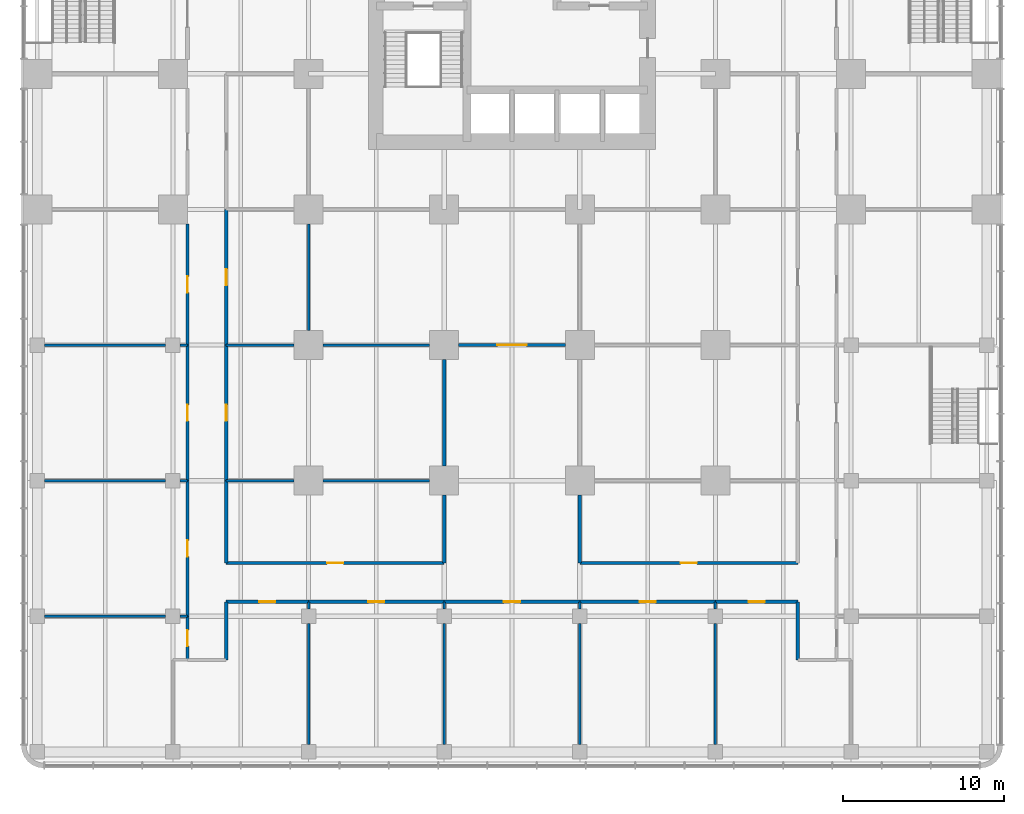
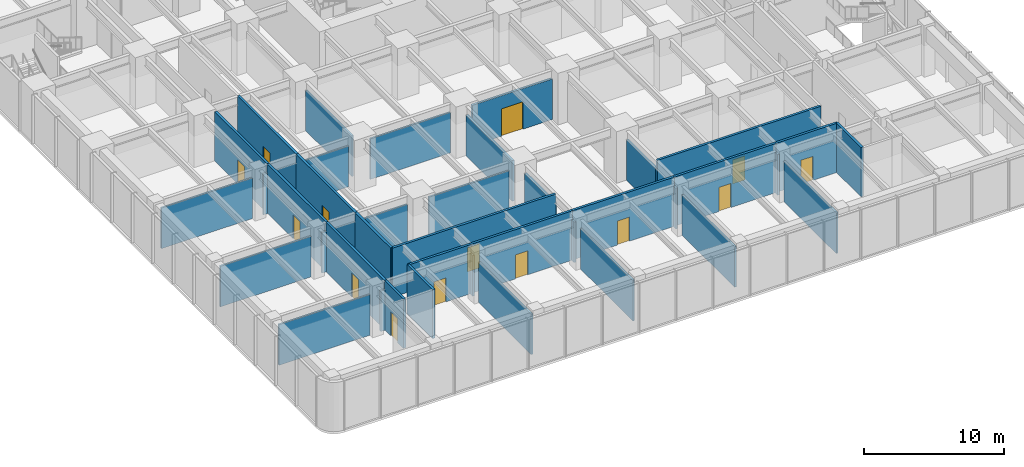
# One storey, part 11 of 19: 39 walls, 14 doors, 14 openings.
"""IFC4 building model written with IfcOpenShell, lengths in metres."""

from ifc_helpers import new_model, si_unit, direction, frame, frame_2d, origin, place, context, subcontext, project, spatial, rectangle, extrude, material, layer, layer_set, type_object, element, fill, save


model = new_model("IFC4")

# Units and contexts
model_context = context("Model", 3, precision=1e-05, world=origin(), true_north=direction((0.0, 1.0)))
body_context = subcontext(model_context, "Body", "Model", "MODEL_VIEW")
ifc_project = project(units=[si_unit("LENGTHUNIT", "METRE"), si_unit("AREAUNIT", "SQUARE_METRE"), si_unit("VOLUMEUNIT", "CUBIC_METRE"), si_unit("PLANEANGLEUNIT", "RADIAN"), si_unit("MASSUNIT", "GRAM", prefix="KILO")], contexts=[model_context])

# Site, building, storey
site_placement = place(None, origin())
site = spatial("IfcSite", under=ifc_project, at=site_placement, CompositionType="ELEMENT")
building_placement = place(site_placement, origin())
building = spatial("IfcBuilding", under=site, at=building_placement, Name="Torre Alcanfor", CompositionType="ELEMENT")
storey_placement = place(building_placement, frame((0.0, 0.0, 6.0)))
storey = spatial("IfcBuildingStorey", under=building, at=storey_placement, Name="L01", CompositionType="ELEMENT", Elevation=6.0)

# Walls
ifc_material_1 = material(Name="Concrete block masonry, hollow blocks NMX-C-404 9 MPa", Category="masonry")
ifc_layer_1 = layer(ifc_material_1, 0.14990234375)
ifc_layer_set_1 = layer_set([ifc_layer_1], Name="Classroom partition 150")
wall_type_1 = type_object("IfcWallType", Name="Classroom partition 150", PredefinedType="PARTITIONING", material=ifc_layer_set_1)
wall_1_placement = place(storey_placement, frame((16.800048828125, -8.85009765625, 0.0), z_axis=(0.0, 0.0, 1.0), x_axis=(0.0, -1.0, 0.0)))
element("IfcWall", 1, at=wall_1_placement, inside=storey, type_object=wall_type_1, Name="Partition L01-01 / L01-05", PredefinedType="PARTITIONING", context=body_context, shape_type="SweptSolid", body=[
    extrude(rectangle(XDim=7.5, YDim=0.14990234375, at=frame_2d((3.75, 0.0))), origin(), (0.0, 0.0, 1.0), 3.543212890625),
])
wall_2_placement = place(storey_placement, frame((16.800048828125, -7.5, 0.0), z_axis=(0.0, 0.0, 1.0), x_axis=(0.0, -1.0, 0.0)))
element("IfcWall", 2, at=wall_2_placement, inside=storey, type_object=wall_type_1, Name="Partition L01-01 / L01-05", PredefinedType="PARTITIONING", context=body_context, shape_type="SweptSolid", body=[
    extrude(rectangle(XDim=0.449951171875, YDim=0.14990234375, at=frame_2d((0.22509765625, 0.0))), origin(), (0.0, 0.0, 1.0), 3.543212890625),
])
wall_3_placement = place(storey_placement, frame((42.0, -16.35009765625, 0.0), z_axis=(0.0, 0.0, 1.0), x_axis=(0.0, 1.0, 0.0)))
element("IfcWall", 3, at=wall_3_placement, inside=storey, type_object=wall_type_1, Name="Partition L01-02 / L01-07", PredefinedType="PARTITIONING", context=body_context, shape_type="SweptSolid", body=[
    extrude(rectangle(XDim=7.5, YDim=0.14990234375, at=frame_2d((3.75, 0.0))), origin(), (0.0, 0.0, 1.0), 3.543212890625),
])
wall_4_placement = place(storey_placement, frame((42.0, -7.949951171875, 0.0), z_axis=(0.0, 0.0, 1.0), x_axis=(0.0, 1.0, 0.0)))
element("IfcWall", 4, at=wall_4_placement, inside=storey, type_object=wall_type_1, Name="Partition L01-02 / L01-07", PredefinedType="PARTITIONING", context=body_context, shape_type="SweptSolid", body=[
    extrude(rectangle(XDim=0.449951171875, YDim=0.14990234375, at=frame_2d((0.22509765625, 0.0))), origin(), (0.0, 0.0, 1.0), 3.543212890625),
])
wall_5_placement = place(storey_placement, frame((0.449951171875, -8.39990234375, 0.0), z_axis=(0.0, 0.0, 1.0), x_axis=(1.0, 0.0, 0.0)))
element("IfcWall", 5, at=wall_5_placement, inside=storey, type_object=wall_type_1, Name="Partition L01-03 / L01-08", PredefinedType="PARTITIONING", context=body_context, shape_type="SweptSolid", body=[
    extrude(rectangle(XDim=7.5, YDim=0.14990234375, at=frame_2d((3.75, 0.0))), origin(), (0.0, 0.0, 1.0), 3.543212890625),
])
wall_6_placement = place(storey_placement, frame((8.85009765625, -8.39990234375, 0.0), z_axis=(0.0, 0.0, 1.0), x_axis=(1.0, 0.0, 0.0)))
element("IfcWall", 6, at=wall_6_placement, inside=storey, type_object=wall_type_1, Name="Partition L01-03 / L01-08", PredefinedType="PARTITIONING", context=body_context, shape_type="SweptSolid", body=[
    extrude(rectangle(XDim=0.449951171875, YDim=0.14990234375, at=frame_2d((0.22509765625, 0.0))), origin(), (0.0, 0.0, 1.0), 3.543212890625),
])
wall_7_placement = place(storey_placement, frame((25.199951171875, -8.85009765625, 0.0), z_axis=(0.0, 0.0, 1.0), x_axis=(0.0, -1.0, 0.0)))
element("IfcWall", 7, at=wall_7_placement, inside=storey, type_object=wall_type_1, Name="Partition L01-05 / L01-06", PredefinedType="PARTITIONING", context=body_context, shape_type="SweptSolid", body=[
    extrude(rectangle(XDim=7.5, YDim=0.14990234375, at=frame_2d((3.75, 0.0))), origin(), (0.0, 0.0, 1.0), 3.543212890625),
])
wall_8_placement = place(storey_placement, frame((25.199951171875, -7.5, 0.0), z_axis=(0.0, 0.0, 1.0), x_axis=(0.0, -1.0, 0.0)))
element("IfcWall", 8, at=wall_8_placement, inside=storey, type_object=wall_type_1, Name="Partition L01-05 / L01-06", PredefinedType="PARTITIONING", context=body_context, shape_type="SweptSolid", body=[
    extrude(rectangle(XDim=0.449951171875, YDim=0.14990234375, at=frame_2d((0.22509765625, 0.0))), origin(), (0.0, 0.0, 1.0), 3.543212890625),
])
wall_9_placement = place(storey_placement, frame((33.60009765625, -8.85009765625, 0.0), z_axis=(0.0, 0.0, 1.0), x_axis=(0.0, -1.0, 0.0)))
element("IfcWall", 9, at=wall_9_placement, inside=storey, type_object=wall_type_1, Name="Partition L01-06 / L01-07", PredefinedType="PARTITIONING", context=body_context, shape_type="SweptSolid", body=[
    extrude(rectangle(XDim=7.5, YDim=0.14990234375, at=frame_2d((3.75, 0.0))), origin(), (0.0, 0.0, 1.0), 3.543212890625),
])
wall_10_placement = place(storey_placement, frame((33.60009765625, -7.5, 0.0), z_axis=(0.0, 0.0, 1.0), x_axis=(0.0, -1.0, 0.0)))
element("IfcWall", 10, at=wall_10_placement, inside=storey, type_object=wall_type_1, Name="Partition L01-06 / L01-07", PredefinedType="PARTITIONING", context=body_context, shape_type="SweptSolid", body=[
    extrude(rectangle(XDim=0.449951171875, YDim=0.14990234375, at=frame_2d((0.22509765625, 0.0))), origin(), (0.0, 0.0, 1.0), 3.543212890625),
])
wall_11_placement = place(storey_placement, frame((0.449951171875, 0.0, 0.0), z_axis=(0.0, 0.0, 1.0), x_axis=(1.0, 0.0, 0.0)))
element("IfcWall", 11, at=wall_11_placement, inside=storey, type_object=wall_type_1, Name="Partition L01-08 / L01-10", PredefinedType="PARTITIONING", context=body_context, shape_type="SweptSolid", body=[
    extrude(rectangle(XDim=7.5, YDim=0.14990234375, at=frame_2d((3.75, 0.0))), origin(), (0.0, 0.0, 1.0), 3.543212890625),
])
wall_12_placement = place(storey_placement, frame((8.85009765625, 0.0, 0.0), z_axis=(0.0, 0.0, 1.0), x_axis=(1.0, 0.0, 0.0)))
element("IfcWall", 12, at=wall_12_placement, inside=storey, type_object=wall_type_1, Name="Partition L01-08 / L01-10", PredefinedType="PARTITIONING", context=body_context, shape_type="SweptSolid", body=[
    extrude(rectangle(XDim=0.449951171875, YDim=0.14990234375, at=frame_2d((0.22509765625, 0.0))), origin(), (0.0, 0.0, 1.0), 3.543212890625),
])
wall_13_placement = place(storey_placement, frame((0.449951171875, 8.39990234375, 0.0), z_axis=(0.0, 0.0, 1.0), x_axis=(1.0, 0.0, 0.0)))
element("IfcWall", 13, at=wall_13_placement, inside=storey, type_object=wall_type_1, Name="Partition L01-10 / L01-12", PredefinedType="PARTITIONING", context=body_context, shape_type="SweptSolid", body=[
    extrude(rectangle(XDim=7.5, YDim=0.14990234375, at=frame_2d((3.75, 0.0))), origin(), (0.0, 0.0, 1.0), 3.543212890625),
])
wall_14_placement = place(storey_placement, frame((8.85009765625, 8.39990234375, 0.0), z_axis=(0.0, 0.0, 1.0), x_axis=(1.0, 0.0, 0.0)))
element("IfcWall", 14, at=wall_14_placement, inside=storey, type_object=wall_type_1, Name="Partition L01-10 / L01-12", PredefinedType="PARTITIONING", context=body_context, shape_type="SweptSolid", body=[
    extrude(rectangle(XDim=0.449951171875, YDim=0.14990234375, at=frame_2d((0.22509765625, 0.0))), origin(), (0.0, 0.0, 1.0), 3.543212890625),
])
wall_15_placement = place(storey_placement, frame((11.699951171875, 0.0, 0.0), z_axis=(0.0, 0.0, 1.0), x_axis=(1.0, 0.0, 0.0)))
element("IfcWall", 15, at=wall_15_placement, inside=storey, type_object=wall_type_1, Name="Partition L01-I01 / L01-I03", PredefinedType="PARTITIONING", context=body_context, shape_type="SweptSolid", body=[
    extrude(rectangle(XDim=4.199951171875, YDim=0.14990234375, at=frame_2d((2.10009765625, 0.0))), origin(), (0.0, 0.0, 1.0), 3.543212890625),
])
wall_16_placement = place(storey_placement, frame((17.699951171875, 0.0, 0.0), z_axis=(0.0, 0.0, 1.0), x_axis=(1.0, 0.0, 0.0)))
element("IfcWall", 16, at=wall_16_placement, inside=storey, type_object=wall_type_1, Name="Partition L01-I01 / L01-I03", PredefinedType="PARTITIONING", context=body_context, shape_type="SweptSolid", body=[
    extrude(rectangle(XDim=6.60009765625, YDim=0.14990234375, at=frame_2d((3.300048828125, 0.0))), origin(), (0.0, 0.0, 1.0), 3.543212890625),
])
wall_17_placement = place(storey_placement, frame((11.699951171875, 8.39990234375, 0.0), z_axis=(0.0, 0.0, 1.0), x_axis=(1.0, 0.0, 0.0)))
element("IfcWall", 17, at=wall_17_placement, inside=storey, type_object=wall_type_1, Name="Partition L01-I03 / L01-I05", PredefinedType="PARTITIONING", context=body_context, shape_type="SweptSolid", body=[
    extrude(rectangle(XDim=4.199951171875, YDim=0.14990234375, at=frame_2d((2.10009765625, 0.0))), origin(), (0.0, 0.0, 1.0), 3.543212890625),
])
wall_18_placement = place(storey_placement, frame((17.699951171875, 8.39990234375, 0.0), z_axis=(0.0, 0.0, 1.0), x_axis=(1.0, 0.0, 0.0)))
element("IfcWall", 18, at=wall_18_placement, inside=storey, type_object=wall_type_1, Name="Partition L01-I03 / L01-I06", PredefinedType="PARTITIONING", context=body_context, shape_type="SweptSolid", body=[
    extrude(rectangle(XDim=6.60009765625, YDim=0.14990234375, at=frame_2d((3.300048828125, 0.0))), origin(), (0.0, 0.0, 1.0), 3.543212890625),
])
wall_19_placement = place(storey_placement, frame((16.800048828125, 15.89990234375, 0.0), z_axis=(0.0, 0.0, 1.0), x_axis=(0.0, -1.0, 0.0)))
element("IfcWall", 19, at=wall_19_placement, inside=storey, type_object=wall_type_1, Name="Partition L01-I05 / L01-I06", PredefinedType="PARTITIONING", context=body_context, shape_type="SweptSolid", body=[
    extrude(rectangle(XDim=6.599853515625, YDim=0.14990234375, at=frame_2d((3.2998046875, 0.0))), origin(), (0.0, 0.0, 1.0), 3.543212890625),
])
ifc_material_2 = material(Name="Concrete block masonry, hollow blocks NMX-C-404 9 MPa", Category="masonry")
ifc_layer_2 = layer(ifc_material_2, 0.199951171875)
ifc_layer_set_2 = layer_set([ifc_layer_2], Name="School corridor wall 200")
wall_type_2 = type_object("IfcWallType", Name="School corridor wall 200", PredefinedType="PARTITIONING", material=ifc_layer_set_2)
wall_20_placement = place(storey_placement, frame((11.699951171875, -11.10009765625, 0.0), z_axis=(0.0, 0.0, 1.0), x_axis=(0.0, 1.0, 0.0)))
element("IfcWall", 20, at=wall_20_placement, inside=storey, type_object=wall_type_2, Name="Partition L01-01 / L01-CORR", PredefinedType="PARTITIONING", context=body_context, shape_type="SweptSolid", body=[
    extrude(rectangle(XDim=3.60009765625, YDim=0.199951171875, at=frame_2d((1.800048828125, 0.0))), origin(), (0.0, 0.0, 1.0), 4.300048828125),
])

# Wall, opening, door
wall_21_placement = place(storey_placement, frame((11.699951171875, -7.5, 0.0), z_axis=(0.0, 0.0, 1.0), x_axis=(1.0, 0.0, 0.0)))
wall_21 = element("IfcWall", 21, at=wall_21_placement, inside=storey, type_object=wall_type_2, Name="Partition L01-01 / L01-CORR", PredefinedType="PARTITIONING", context=body_context, shape_type="SweptSolid", body=[
    extrude(rectangle(XDim=5.10009765625, YDim=0.199951171875, at=frame_2d((2.550048828125, 0.0))), origin(), (0.0, 0.0, 1.0), 4.300048828125),
])
opening_1_placement = place(wall_21_placement, frame((2.050048828125, 0.0, 0.0)))
opening_1 = element("IfcOpeningElement", 22, at=opening_1_placement, cuts=wall_21, Name="Opening D-C1", PredefinedType="OPENING", context=body_context, shape_type="SweptSolid", body=[
    extrude(rectangle(XDim=1.0, YDim=2.10009765625, at=frame_2d((0.5, 1.050048828125))), frame((0.0, 0.10986328125, 0.0), z_axis=(0.0, -1.0, 0.0), x_axis=(1.0, 0.0, 0.0)), (0.0, 0.0, 1.0), 0.219970703125),
])
ifc_material_3 = material(Name="Timber", Category="wood")
door_type_1 = type_object("IfcDoorType", Name="Classroom door 1000x2100", OperationType="SINGLE_SWING_RIGHT", PredefinedType="DOOR", material=ifc_material_3)
door_1_placement = place(opening_1_placement, frame((1.0, 0.0, 0.0), z_axis=(0.0, 0.0, 1.0), x_axis=(-1.0, 0.0, 0.0)))
door_1 = element("IfcDoor", 23, at=door_1_placement, inside=storey, type_object=door_type_1, Name="Door L01-01 classroom", OperationType="SINGLE_SWING_RIGHT", OverallHeight=2.10009765625, OverallWidth=1.0, PredefinedType="DOOR", context=body_context, shape_type="SweptSolid", body=[
    extrude(rectangle(XDim=1.0, YDim=2.10009765625, at=frame_2d((0.5, 1.050048828125))), frame((0.0, 0.025146484375, 0.0), z_axis=(0.0, -1.0, 0.0), x_axis=(1.0, 0.0, 0.0)), (0.0, 0.0, 1.0), 0.050048828125),
])
fill(opening_1, door_1)

wall_22_placement = place(storey_placement, frame((42.0, -7.5, 0.0), z_axis=(0.0, 0.0, 1.0), x_axis=(1.0, 0.0, 0.0)))
wall_22 = element("IfcWall", 24, at=wall_22_placement, inside=storey, type_object=wall_type_2, Name="Partition L01-02 / L01-CORR", PredefinedType="PARTITIONING", context=body_context, shape_type="SweptSolid", body=[
    extrude(rectangle(XDim=5.10009765625, YDim=0.199951171875, at=frame_2d((2.550048828125, 0.0))), origin(), (0.0, 0.0, 1.0), 4.300048828125),
])
opening_2_placement = place(wall_22_placement, frame((2.050048828125, 0.0, 0.0)))
opening_2 = element("IfcOpeningElement", 25, at=opening_2_placement, cuts=wall_22, Name="Opening D-C1", PredefinedType="OPENING", context=body_context, shape_type="SweptSolid", body=[
    extrude(rectangle(XDim=1.0, YDim=2.10009765625, at=frame_2d((0.5, 1.050048828125))), frame((0.0, 0.10986328125, 0.0), z_axis=(0.0, -1.0, 0.0), x_axis=(1.0, 0.0, 0.0)), (0.0, 0.0, 1.0), 0.219970703125),
])
door_2_placement = place(opening_2_placement, frame((1.0, 0.0, 0.0), z_axis=(0.0, 0.0, 1.0), x_axis=(-1.0, 0.0, 0.0)))
door_2 = element("IfcDoor", 26, at=door_2_placement, inside=storey, type_object=door_type_1, Name="Door L01-02 classroom", OperationType="SINGLE_SWING_RIGHT", OverallHeight=2.10009765625, OverallWidth=1.0, PredefinedType="DOOR", context=body_context, shape_type="SweptSolid", body=[
    extrude(rectangle(XDim=1.0, YDim=2.10009765625, at=frame_2d((0.5, 1.050048828125))), frame((0.0, 0.025146484375, 0.0), z_axis=(0.0, -1.0, 0.0), x_axis=(1.0, 0.0, 0.0)), (0.0, 0.0, 1.0), 0.050048828125),
])
fill(opening_2, door_2)

# Wall
wall_23_placement = place(storey_placement, frame((47.10009765625, -7.5, 0.0), z_axis=(0.0, 0.0, 1.0), x_axis=(0.0, -1.0, 0.0)))
element("IfcWall", 27, at=wall_23_placement, inside=storey, type_object=wall_type_2, Name="Partition L01-02 / L01-CORR", PredefinedType="PARTITIONING", context=body_context, shape_type="SweptSolid", body=[
    extrude(rectangle(XDim=3.60009765625, YDim=0.199951171875, at=frame_2d((1.800048828125, 0.0))), origin(), (0.0, 0.0, 1.0), 4.300048828125),
])

# Wall, opening, door
wall_24_placement = place(storey_placement, frame((9.300048828125, -8.39990234375, 0.0), z_axis=(0.0, 0.0, 1.0), x_axis=(0.0, -1.0, 0.0)))
wall_24 = element("IfcWall", 28, at=wall_24_placement, inside=storey, type_object=wall_type_2, Name="Partition L01-03 / L01-CORR", PredefinedType="PARTITIONING", context=body_context, shape_type="SweptSolid", body=[
    extrude(rectangle(XDim=2.7001953125, YDim=0.199951171875, at=frame_2d((1.35009765625, 0.0))), origin(), (0.0, 0.0, 1.0), 4.300048828125),
])
opening_3_placement = place(wall_24_placement, frame((0.85009765625, 0.0, 0.0)))
opening_3 = element("IfcOpeningElement", 29, at=opening_3_placement, cuts=wall_24, Name="Opening D-C1", PredefinedType="OPENING", context=body_context, shape_type="SweptSolid", body=[
    extrude(rectangle(XDim=1.0, YDim=2.10009765625, at=frame_2d((0.5, 1.050048828125))), frame((0.0, 0.10986328125, 0.0), z_axis=(0.0, -1.0, 0.0), x_axis=(1.0, 0.0, 0.0)), (0.0, 0.0, 1.0), 0.219970703125),
])
door_3_placement = place(opening_3_placement, frame((1.0, 0.0, 0.0), z_axis=(0.0, 0.0, 1.0), x_axis=(-1.0, 0.0, 0.0)))
door_3 = element("IfcDoor", 30, at=door_3_placement, inside=storey, type_object=door_type_1, Name="Door L01-03 classroom", OperationType="SINGLE_SWING_RIGHT", OverallHeight=2.10009765625, OverallWidth=1.0, PredefinedType="DOOR", context=body_context, shape_type="SweptSolid", body=[
    extrude(rectangle(XDim=1.0, YDim=2.10009765625, at=frame_2d((0.5, 1.050048828125))), frame((0.0, 0.025146484375, 0.0), z_axis=(0.0, -1.0, 0.0), x_axis=(1.0, 0.0, 0.0)), (0.0, 0.0, 1.0), 0.050048828125),
])
fill(opening_3, door_3)

wall_25_placement = place(storey_placement, frame((16.800048828125, -7.5, 0.0), z_axis=(0.0, 0.0, 1.0), x_axis=(1.0, 0.0, 0.0)))
wall_25 = element("IfcWall", 31, at=wall_25_placement, inside=storey, type_object=wall_type_2, Name="Partition L01-05 / L01-CORR", PredefinedType="PARTITIONING", context=body_context, shape_type="SweptSolid", body=[
    extrude(rectangle(XDim=8.39990234375, YDim=0.199951171875, at=frame_2d((4.199951171875, 0.0))), origin(), (0.0, 0.0, 1.0), 4.300048828125),
])
opening_4_placement = place(wall_25_placement, frame((3.699951171875, 0.0, 0.0)))
opening_4 = element("IfcOpeningElement", 32, at=opening_4_placement, cuts=wall_25, Name="Opening D-C1", PredefinedType="OPENING", context=body_context, shape_type="SweptSolid", body=[
    extrude(rectangle(XDim=1.0, YDim=2.10009765625, at=frame_2d((0.5, 1.050048828125))), frame((0.0, 0.10986328125, 0.0), z_axis=(0.0, -1.0, 0.0), x_axis=(1.0, 0.0, 0.0)), (0.0, 0.0, 1.0), 0.219970703125),
])
door_4_placement = place(opening_4_placement, frame((1.0, 0.0, 0.0), z_axis=(0.0, 0.0, 1.0), x_axis=(-1.0, 0.0, 0.0)))
door_4 = element("IfcDoor", 33, at=door_4_placement, inside=storey, type_object=door_type_1, Name="Door L01-05 classroom", OperationType="SINGLE_SWING_RIGHT", OverallHeight=2.10009765625, OverallWidth=1.0, PredefinedType="DOOR", context=body_context, shape_type="SweptSolid", body=[
    extrude(rectangle(XDim=1.0, YDim=2.10009765625, at=frame_2d((0.5, 1.050048828125))), frame((0.0, 0.025146484375, 0.0), z_axis=(0.0, -1.0, 0.0), x_axis=(1.0, 0.0, 0.0)), (0.0, 0.0, 1.0), 0.050048828125),
])
fill(opening_4, door_4)

wall_26_placement = place(storey_placement, frame((25.199951171875, -7.5, 0.0), z_axis=(0.0, 0.0, 1.0), x_axis=(1.0, 0.0, 0.0)))
wall_26 = element("IfcWall", 34, at=wall_26_placement, inside=storey, type_object=wall_type_2, Name="Partition L01-06 / L01-CORR", PredefinedType="PARTITIONING", context=body_context, shape_type="SweptSolid", body=[
    extrude(rectangle(XDim=8.400146484375, YDim=0.199951171875, at=frame_2d((4.2001953125, 0.0))), origin(), (0.0, 0.0, 1.0), 4.300048828125),
])
opening_5_placement = place(wall_26_placement, frame((3.699951171875, 0.0, 0.0)))
opening_5 = element("IfcOpeningElement", 35, at=opening_5_placement, cuts=wall_26, Name="Opening D-C1", PredefinedType="OPENING", context=body_context, shape_type="SweptSolid", body=[
    extrude(rectangle(XDim=1.0, YDim=2.10009765625, at=frame_2d((0.5, 1.050048828125))), frame((0.0, 0.10986328125, 0.0), z_axis=(0.0, -1.0, 0.0), x_axis=(1.0, 0.0, 0.0)), (0.0, 0.0, 1.0), 0.219970703125),
])
door_5_placement = place(opening_5_placement, frame((1.0, 0.0, 0.0), z_axis=(0.0, 0.0, 1.0), x_axis=(-1.0, 0.0, 0.0)))
door_5 = element("IfcDoor", 36, at=door_5_placement, inside=storey, type_object=door_type_1, Name="Door L01-06 classroom", OperationType="SINGLE_SWING_RIGHT", OverallHeight=2.10009765625, OverallWidth=1.0, PredefinedType="DOOR", context=body_context, shape_type="SweptSolid", body=[
    extrude(rectangle(XDim=1.0, YDim=2.10009765625, at=frame_2d((0.5, 1.050048828125))), frame((0.0, 0.025146484375, 0.0), z_axis=(0.0, -1.0, 0.0), x_axis=(1.0, 0.0, 0.0)), (0.0, 0.0, 1.0), 0.050048828125),
])
fill(opening_5, door_5)

wall_27_placement = place(storey_placement, frame((33.60009765625, -7.5, 0.0), z_axis=(0.0, 0.0, 1.0), x_axis=(1.0, 0.0, 0.0)))
wall_27 = element("IfcWall", 37, at=wall_27_placement, inside=storey, type_object=wall_type_2, Name="Partition L01-07 / L01-CORR", PredefinedType="PARTITIONING", context=body_context, shape_type="SweptSolid", body=[
    extrude(rectangle(XDim=8.39990234375, YDim=0.199951171875, at=frame_2d((4.199951171875, 0.0))), origin(), (0.0, 0.0, 1.0), 4.300048828125),
])
opening_6_placement = place(wall_27_placement, frame((3.699951171875, 0.0, 0.0)))
opening_6 = element("IfcOpeningElement", 38, at=opening_6_placement, cuts=wall_27, Name="Opening D-C1", PredefinedType="OPENING", context=body_context, shape_type="SweptSolid", body=[
    extrude(rectangle(XDim=1.0, YDim=2.10009765625, at=frame_2d((0.5, 1.050048828125))), frame((0.0, 0.10986328125, 0.0), z_axis=(0.0, -1.0, 0.0), x_axis=(1.0, 0.0, 0.0)), (0.0, 0.0, 1.0), 0.219970703125),
])
door_6_placement = place(opening_6_placement, frame((1.0, 0.0, 0.0), z_axis=(0.0, 0.0, 1.0), x_axis=(-1.0, 0.0, 0.0)))
door_6 = element("IfcDoor", 39, at=door_6_placement, inside=storey, type_object=door_type_1, Name="Door L01-07 classroom", OperationType="SINGLE_SWING_RIGHT", OverallHeight=2.10009765625, OverallWidth=1.0, PredefinedType="DOOR", context=body_context, shape_type="SweptSolid", body=[
    extrude(rectangle(XDim=1.0, YDim=2.10009765625, at=frame_2d((0.5, 1.050048828125))), frame((0.0, 0.025146484375, 0.0), z_axis=(0.0, -1.0, 0.0), x_axis=(1.0, 0.0, 0.0)), (0.0, 0.0, 1.0), 0.050048828125),
])
fill(opening_6, door_6)

wall_28_placement = place(storey_placement, frame((9.300048828125, 0.0, 0.0), z_axis=(0.0, 0.0, 1.0), x_axis=(0.0, -1.0, 0.0)))
wall_28 = element("IfcWall", 40, at=wall_28_placement, inside=storey, type_object=wall_type_2, Name="Partition L01-08 / L01-CORR", PredefinedType="PARTITIONING", context=body_context, shape_type="SweptSolid", body=[
    extrude(rectangle(XDim=8.39990234375, YDim=0.199951171875, at=frame_2d((4.199951171875, 0.0))), origin(), (0.0, 0.0, 1.0), 4.300048828125),
])
opening_7_placement = place(wall_28_placement, frame((3.699951171875, 0.0, 0.0)))
opening_7 = element("IfcOpeningElement", 41, at=opening_7_placement, cuts=wall_28, Name="Opening D-C1", PredefinedType="OPENING", context=body_context, shape_type="SweptSolid", body=[
    extrude(rectangle(XDim=1.0, YDim=2.10009765625, at=frame_2d((0.5, 1.050048828125))), frame((0.0, 0.10986328125, 0.0), z_axis=(0.0, -1.0, 0.0), x_axis=(1.0, 0.0, 0.0)), (0.0, 0.0, 1.0), 0.219970703125),
])
door_7_placement = place(opening_7_placement, frame((1.0, 0.0, 0.0), z_axis=(0.0, 0.0, 1.0), x_axis=(-1.0, 0.0, 0.0)))
door_7 = element("IfcDoor", 42, at=door_7_placement, inside=storey, type_object=door_type_1, Name="Door L01-08 classroom", OperationType="SINGLE_SWING_RIGHT", OverallHeight=2.10009765625, OverallWidth=1.0, PredefinedType="DOOR", context=body_context, shape_type="SweptSolid", body=[
    extrude(rectangle(XDim=1.0, YDim=2.10009765625, at=frame_2d((0.5, 1.050048828125))), frame((0.0, 0.025146484375, 0.0), z_axis=(0.0, -1.0, 0.0), x_axis=(1.0, 0.0, 0.0)), (0.0, 0.0, 1.0), 0.050048828125),
])
fill(opening_7, door_7)

wall_29_placement = place(storey_placement, frame((9.300048828125, 8.39990234375, 0.0), z_axis=(0.0, 0.0, 1.0), x_axis=(0.0, -1.0, 0.0)))
wall_29 = element("IfcWall", 43, at=wall_29_placement, inside=storey, type_object=wall_type_2, Name="Partition L01-10 / L01-CORR", PredefinedType="PARTITIONING", context=body_context, shape_type="SweptSolid", body=[
    extrude(rectangle(XDim=8.39990234375, YDim=0.199951171875, at=frame_2d((4.199951171875, 0.0))), origin(), (0.0, 0.0, 1.0), 4.300048828125),
])
opening_8_placement = place(wall_29_placement, frame((3.699951171875, 0.0, 0.0)))
opening_8 = element("IfcOpeningElement", 44, at=opening_8_placement, cuts=wall_29, Name="Opening D-C1", PredefinedType="OPENING", context=body_context, shape_type="SweptSolid", body=[
    extrude(rectangle(XDim=1.0, YDim=2.10009765625, at=frame_2d((0.5, 1.050048828125))), frame((0.0, 0.10986328125, 0.0), z_axis=(0.0, -1.0, 0.0), x_axis=(1.0, 0.0, 0.0)), (0.0, 0.0, 1.0), 0.219970703125),
])
door_8_placement = place(opening_8_placement, frame((1.0, 0.0, 0.0), z_axis=(0.0, 0.0, 1.0), x_axis=(-1.0, 0.0, 0.0)))
door_8 = element("IfcDoor", 45, at=door_8_placement, inside=storey, type_object=door_type_1, Name="Door L01-10 classroom", OperationType="SINGLE_SWING_RIGHT", OverallHeight=2.10009765625, OverallWidth=1.0, PredefinedType="DOOR", context=body_context, shape_type="SweptSolid", body=[
    extrude(rectangle(XDim=1.0, YDim=2.10009765625, at=frame_2d((0.5, 1.050048828125))), frame((0.0, 0.025146484375, 0.0), z_axis=(0.0, -1.0, 0.0), x_axis=(1.0, 0.0, 0.0)), (0.0, 0.0, 1.0), 0.050048828125),
])
fill(opening_8, door_8)

wall_30_placement = place(storey_placement, frame((9.300048828125, 15.89990234375, 0.0), z_axis=(0.0, 0.0, 1.0), x_axis=(0.0, -1.0, 0.0)))
wall_30 = element("IfcWall", 46, at=wall_30_placement, inside=storey, type_object=wall_type_2, Name="Partition L01-12 / L01-CORR", PredefinedType="PARTITIONING", context=body_context, shape_type="SweptSolid", body=[
    extrude(rectangle(XDim=7.5, YDim=0.199951171875, at=frame_2d((3.75, 0.0))), origin(), (0.0, 0.0, 1.0), 4.300048828125),
])
opening_9_placement = place(wall_30_placement, frame((3.25, 0.0, 0.0)))
opening_9 = element("IfcOpeningElement", 47, at=opening_9_placement, cuts=wall_30, Name="Opening D-C1", PredefinedType="OPENING", context=body_context, shape_type="SweptSolid", body=[
    extrude(rectangle(XDim=1.0, YDim=2.10009765625, at=frame_2d((0.5, 1.050048828125))), frame((0.0, 0.10986328125, 0.0), z_axis=(0.0, -1.0, 0.0), x_axis=(1.0, 0.0, 0.0)), (0.0, 0.0, 1.0), 0.219970703125),
])
door_9_placement = place(opening_9_placement, frame((1.0, 0.0, 0.0), z_axis=(0.0, 0.0, 1.0), x_axis=(-1.0, 0.0, 0.0)))
door_9 = element("IfcDoor", 48, at=door_9_placement, inside=storey, type_object=door_type_1, Name="Door L01-12 classroom", OperationType="SINGLE_SWING_RIGHT", OverallHeight=2.10009765625, OverallWidth=1.0, PredefinedType="DOOR", context=body_context, shape_type="SweptSolid", body=[
    extrude(rectangle(XDim=1.0, YDim=2.10009765625, at=frame_2d((0.5, 1.050048828125))), frame((0.0, 0.025146484375, 0.0), z_axis=(0.0, -1.0, 0.0), x_axis=(1.0, 0.0, 0.0)), (0.0, 0.0, 1.0), 0.050048828125),
])
fill(opening_9, door_9)

# Wall
wall_31_placement = place(storey_placement, frame((11.699951171875, 0.0, 0.0), z_axis=(0.0, 0.0, 1.0), x_axis=(0.0, -1.0, 0.0)))
element("IfcWall", 49, at=wall_31_placement, inside=storey, type_object=wall_type_2, Name="Partition L01-CORR / L01-I01", PredefinedType="PARTITIONING", context=body_context, shape_type="SweptSolid", body=[
    extrude(rectangle(XDim=5.10009765625, YDim=0.199951171875, at=frame_2d((2.550048828125, 0.0))), origin(), (0.0, 0.0, 1.0), 4.300048828125),
])

# Wall, opening, door
wall_32_placement = place(storey_placement, frame((11.699951171875, -5.10009765625, 0.0), z_axis=(0.0, 0.0, 1.0), x_axis=(1.0, 0.0, 0.0)))
wall_32 = element("IfcWall", 50, at=wall_32_placement, inside=storey, type_object=wall_type_2, Name="Partition L01-CORR / L01-I01", PredefinedType="PARTITIONING", context=body_context, shape_type="SweptSolid", body=[
    extrude(rectangle(XDim=13.5, YDim=0.199951171875, at=frame_2d((6.75, 0.0))), origin(), (0.0, 0.0, 1.0), 4.300048828125),
])
opening_10_placement = place(wall_32_placement, frame((6.25, 0.0, 0.0)))
opening_10 = element("IfcOpeningElement", 51, at=opening_10_placement, cuts=wall_32, Name="Opening D-C1", PredefinedType="OPENING", context=body_context, shape_type="SweptSolid", body=[
    extrude(rectangle(XDim=1.0, YDim=2.10009765625, at=frame_2d((0.5, 1.050048828125))), frame((0.0, 0.10986328125, 0.0), z_axis=(0.0, -1.0, 0.0), x_axis=(1.0, 0.0, 0.0)), (0.0, 0.0, 1.0), 0.219970703125),
])
door_10_placement = place(opening_10_placement, origin())
door_10 = element("IfcDoor", 52, at=door_10_placement, inside=storey, type_object=door_type_1, Name="Door L01-I01 seminar room", OperationType="SINGLE_SWING_LEFT", OverallHeight=2.10009765625, OverallWidth=1.0, PredefinedType="DOOR", context=body_context, shape_type="SweptSolid", body=[
    extrude(rectangle(XDim=1.0, YDim=2.10009765625, at=frame_2d((0.5, 1.050048828125))), frame((0.0, 0.02490234375, 0.0), z_axis=(0.0, -1.0, 0.0), x_axis=(1.0, 0.0, 0.0)), (0.0, 0.0, 1.0), 0.050048828125),
])
fill(opening_10, door_10)

# Walls
for number, where, z_axis, x_axis, name in (
    (53, (25.199951171875, -5.10009765625, 0.0), (0.0, 0.0, 1.0), (0.0, 1.0, 0.0), "Partition L01-CORR / L01-I01"),
    (54, (33.60009765625, -0.89990234375, 0.0), (0.0, 0.0, 1.0), (0.0, -1.0, 0.0), "Partition L01-CORR / L01-I02"),
):
    element("IfcWall", number, at=place(storey_placement, frame(where, z_axis=z_axis, x_axis=x_axis)), inside=storey, type_object=wall_type_2, Name=name, PredefinedType="PARTITIONING", context=body_context, shape_type="SweptSolid", body=[
        extrude(rectangle(XDim=4.2001953125, YDim=0.199951171875, at=frame_2d((2.10009765625, 0.0))), origin(), (0.0, 0.0, 1.0), 3.543212890625),
    ])

# Wall, opening, door
wall_33_placement = place(storey_placement, frame((33.60009765625, -5.10009765625, 0.0), z_axis=(0.0, 0.0, 1.0), x_axis=(1.0, 0.0, 0.0)))
wall_33 = element("IfcWall", 55, at=wall_33_placement, inside=storey, type_object=wall_type_2, Name="Partition L01-CORR / L01-I02", PredefinedType="PARTITIONING", context=body_context, shape_type="SweptSolid", body=[
    extrude(rectangle(XDim=13.5, YDim=0.199951171875, at=frame_2d((6.75, 0.0))), origin(), (0.0, 0.0, 1.0), 4.300048828125),
])
opening_11_placement = place(wall_33_placement, frame((6.25, 0.0, 0.0)))
opening_11 = element("IfcOpeningElement", 56, at=opening_11_placement, cuts=wall_33, Name="Opening D-C1", PredefinedType="OPENING", context=body_context, shape_type="SweptSolid", body=[
    extrude(rectangle(XDim=1.0, YDim=2.10009765625, at=frame_2d((0.5, 1.050048828125))), frame((0.0, 0.10986328125, 0.0), z_axis=(0.0, -1.0, 0.0), x_axis=(1.0, 0.0, 0.0)), (0.0, 0.0, 1.0), 0.219970703125),
])
door_11_placement = place(opening_11_placement, origin())
door_11 = element("IfcDoor", 57, at=door_11_placement, inside=storey, type_object=door_type_1, Name="Door L01-I02 seminar room", OperationType="SINGLE_SWING_LEFT", OverallHeight=2.10009765625, OverallWidth=1.0, PredefinedType="DOOR", context=body_context, shape_type="SweptSolid", body=[
    extrude(rectangle(XDim=1.0, YDim=2.10009765625, at=frame_2d((0.5, 1.050048828125))), frame((0.0, 0.02490234375, 0.0), z_axis=(0.0, -1.0, 0.0), x_axis=(1.0, 0.0, 0.0)), (0.0, 0.0, 1.0), 0.050048828125),
])
fill(opening_11, door_11)

wall_34_placement = place(storey_placement, frame((11.699951171875, 8.39990234375, 0.0), z_axis=(0.0, 0.0, 1.0), x_axis=(0.0, -1.0, 0.0)))
wall_34 = element("IfcWall", 58, at=wall_34_placement, inside=storey, type_object=wall_type_2, Name="Partition L01-CORR / L01-I03", PredefinedType="PARTITIONING", context=body_context, shape_type="SweptSolid", body=[
    extrude(rectangle(XDim=8.39990234375, YDim=0.199951171875, at=frame_2d((4.199951171875, 0.0))), origin(), (0.0, 0.0, 1.0), 4.300048828125),
])
opening_12_placement = place(wall_34_placement, frame((3.699951171875, 0.0, 0.0)))
opening_12 = element("IfcOpeningElement", 59, at=opening_12_placement, cuts=wall_34, Name="Opening D-C1", PredefinedType="OPENING", context=body_context, shape_type="SweptSolid", body=[
    extrude(rectangle(XDim=1.0, YDim=2.10009765625, at=frame_2d((0.5, 1.050048828125))), frame((0.0, 0.10986328125, 0.0), z_axis=(0.0, -1.0, 0.0), x_axis=(1.0, 0.0, 0.0)), (0.0, 0.0, 1.0), 0.219970703125),
])
door_12_placement = place(opening_12_placement, origin())
door_12 = element("IfcDoor", 60, at=door_12_placement, inside=storey, type_object=door_type_1, Name="Door L01-I03 science laboratory", OperationType="SINGLE_SWING_LEFT", OverallHeight=2.10009765625, OverallWidth=1.0, PredefinedType="DOOR", context=body_context, shape_type="SweptSolid", body=[
    extrude(rectangle(XDim=1.0, YDim=2.10009765625, at=frame_2d((0.5, 1.050048828125))), frame((0.0, 0.02490234375, 0.0), z_axis=(0.0, -1.0, 0.0), x_axis=(1.0, 0.0, 0.0)), (0.0, 0.0, 1.0), 0.050048828125),
])
fill(opening_12, door_12)

# Wall
wall_35_placement = place(storey_placement, frame((25.199951171875, 0.89990234375, 0.0), z_axis=(0.0, 0.0, 1.0), x_axis=(0.0, 1.0, 0.0)))
element("IfcWall", 61, at=wall_35_placement, inside=storey, type_object=wall_type_2, Name="Partition L01-CORR / L01-I03", PredefinedType="PARTITIONING", context=body_context, shape_type="SweptSolid", body=[
    extrude(rectangle(XDim=6.60009765625, YDim=0.199951171875, at=frame_2d((3.300048828125, 0.0))), origin(), (0.0, 0.0, 1.0), 3.543212890625),
])

# Wall, opening, door
wall_36_placement = place(storey_placement, frame((11.699951171875, 16.800048828125, 0.0), z_axis=(0.0, 0.0, 1.0), x_axis=(0.0, -1.0, 0.0)))
wall_36 = element("IfcWall", 62, at=wall_36_placement, inside=storey, type_object=wall_type_2, Name="Partition L01-CORR / L01-I05", PredefinedType="PARTITIONING", context=body_context, shape_type="SweptSolid", body=[
    extrude(rectangle(XDim=8.400146484375, YDim=0.199951171875, at=frame_2d((4.2001953125, 0.0))), origin(), (0.0, 0.0, 1.0), 4.300048828125),
])
opening_13_placement = place(wall_36_placement, frame((3.699951171875, 0.0, 0.0)))
opening_13 = element("IfcOpeningElement", 63, at=opening_13_placement, cuts=wall_36, Name="Opening D-C1", PredefinedType="OPENING", context=body_context, shape_type="SweptSolid", body=[
    extrude(rectangle(XDim=1.0, YDim=2.10009765625, at=frame_2d((0.5, 1.050048828125))), frame((0.0, 0.10986328125, 0.0), z_axis=(0.0, -1.0, 0.0), x_axis=(1.0, 0.0, 0.0)), (0.0, 0.0, 1.0), 0.219970703125),
])
door_13_placement = place(opening_13_placement, origin())
door_13 = element("IfcDoor", 64, at=door_13_placement, inside=storey, type_object=door_type_1, Name="Door L01-I05 preparation room", OperationType="SINGLE_SWING_LEFT", OverallHeight=2.10009765625, OverallWidth=1.0, PredefinedType="DOOR", context=body_context, shape_type="SweptSolid", body=[
    extrude(rectangle(XDim=1.0, YDim=2.10009765625, at=frame_2d((0.5, 1.050048828125))), frame((0.0, 0.02490234375, 0.0), z_axis=(0.0, -1.0, 0.0), x_axis=(1.0, 0.0, 0.0)), (0.0, 0.0, 1.0), 0.050048828125),
])
fill(opening_13, door_13)

wall_37_placement = place(storey_placement, frame((26.10009765625, 8.39990234375, 0.0), z_axis=(0.0, 0.0, 1.0), x_axis=(1.0, 0.0, 0.0)))
wall_37 = element("IfcWall", 65, at=wall_37_placement, inside=storey, type_object=wall_type_2, Name="Partition L01-CORR / L01-I06", PredefinedType="PARTITIONING", context=body_context, shape_type="SweptSolid", body=[
    extrude(rectangle(XDim=6.599853515625, YDim=0.199951171875, at=frame_2d((3.2998046875, 0.0))), origin(), (0.0, 0.0, 1.0), 3.543212890625),
])
opening_14_placement = place(wall_37_placement, frame((2.39990234375, 0.0, 0.0)))
opening_14 = element("IfcOpeningElement", 66, at=opening_14_placement, cuts=wall_37, Name="Opening D-C2", PredefinedType="OPENING", context=body_context, shape_type="SweptSolid", body=[
    extrude(rectangle(XDim=1.800048828125, YDim=2.39990234375, at=frame_2d((0.89990234375, 1.199951171875))), frame((0.0, 0.10986328125, 0.0), z_axis=(0.0, -1.0, 0.0), x_axis=(1.0, 0.0, 0.0)), (0.0, 0.0, 1.0), 0.219970703125),
])
ifc_material_4 = material(Name="Timber", Category="wood")
door_type_2 = type_object("IfcDoorType", Name="Double door 1800x2400", OperationType="DOUBLE_DOOR_SINGLE_SWING", PredefinedType="DOOR", material=ifc_material_4)
door_14_placement = place(opening_14_placement, frame((1.800048828125, 0.0, 0.0), z_axis=(0.0, 0.0, 1.0), x_axis=(-1.0, 0.0, 0.0)))
door_14 = element("IfcDoor", 67, at=door_14_placement, inside=storey, type_object=door_type_2, Name="Door L01-I06 library", OperationType="DOUBLE_DOOR_SINGLE_SWING", OverallHeight=2.39990234375, OverallWidth=1.800048828125, PredefinedType="DOOR", context=body_context, shape_type="SweptSolid", body=[
    extrude(rectangle(XDim=1.800048828125, YDim=2.39990234375, at=frame_2d((0.900146484375, 1.199951171875))), frame((0.0, 0.025146484375, 0.0), z_axis=(0.0, -1.0, 0.0), x_axis=(1.0, 0.0, 0.0)), (0.0, 0.0, 1.0), 0.050048828125),
])
fill(opening_14, door_14)

save(model, "model.ifc")
